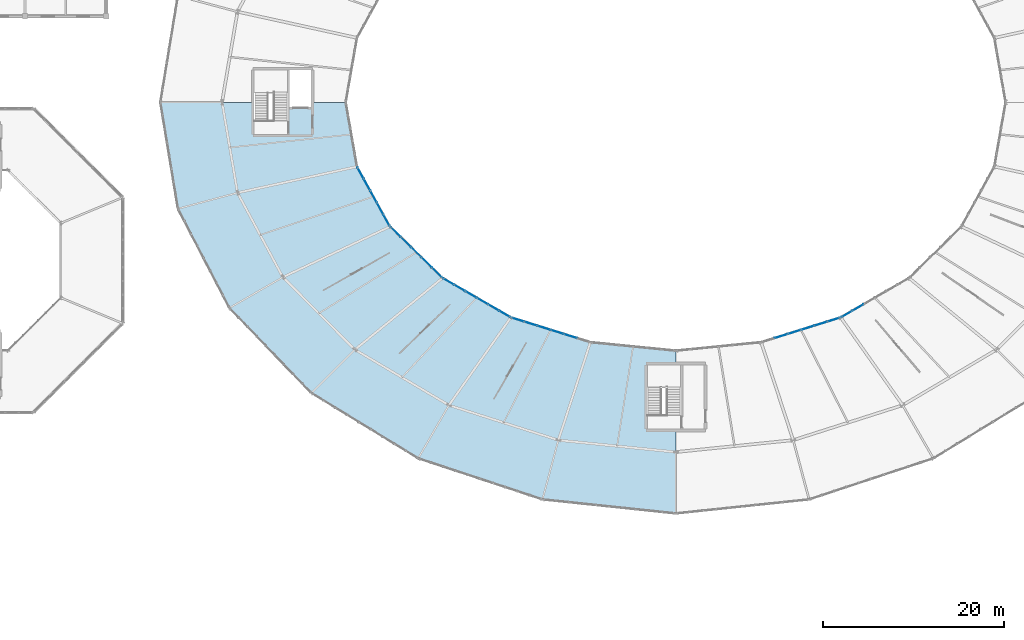
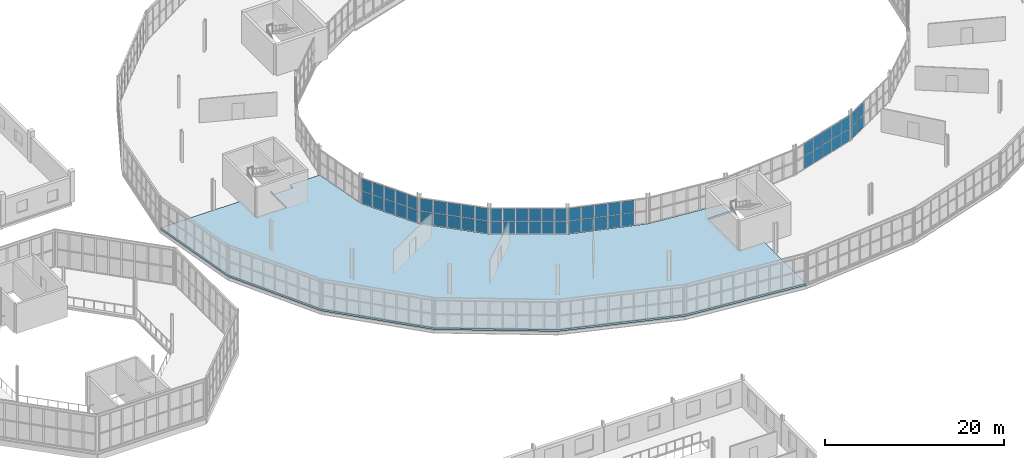
# One storey, part 115 of 161: 56 plates, 1 slab, 6 elements without a shape of their own.
"""IFC4 building model written with IfcOpenShell, lengths in metres."""

from ifc_helpers import new_model, si_unit, direction, frame, origin, origin_2d, place, context, subcontext, project, spatial, polyline, rectangle, outline, extrude, material, layer, layer_set, type_object, element, aggregate, save


model = new_model("IFC4")

# Units and contexts
model_context = context("Model", 3, precision=1e-05, world=origin(), true_north=direction((0.0, 1.0)))
body_context = subcontext(model_context, "Body", "Model", "MODEL_VIEW")
ifc_project = project(units=[si_unit("LENGTHUNIT", "METRE"), si_unit("AREAUNIT", "SQUARE_METRE"), si_unit("VOLUMEUNIT", "CUBIC_METRE"), si_unit("PLANEANGLEUNIT", "RADIAN"), si_unit("MASSUNIT", "GRAM", prefix="KILO")], contexts=[model_context])

# Site, building, storey
site_placement = place(None, origin())
site = spatial("IfcSite", under=ifc_project, at=site_placement, CompositionType="ELEMENT")
building_placement = place(site_placement, origin())
building = spatial("IfcBuilding", under=site, at=building_placement, Name="Kildeholm Park Wholesale Market", CompositionType="ELEMENT")
storey_placement = place(building_placement, frame((0.0, 0.0, 5.39990234375)))
storey = spatial("IfcBuildingStorey", under=building, at=storey_placement, Name="L01", CompositionType="ELEMENT", Elevation=5.39990234375)

# Curtain wall, plates
ifc_material_1 = material(Name="Anodised aluminium and low-E double-glazed glass", Category="aluminium")
curtain_wall_type = type_object("IfcCurtainWallType", Name="Market hall glazed arcade stick curtain wall CW-01", PredefinedType="NOTDEFINED", material=ifc_material_1)
curtain_wall_1_placement = place(storey_placement, origin())
curtain_wall_1 = element("IfcCurtainWall", 1, at=curtain_wall_1_placement, inside=storey, type_object=curtain_wall_type, Name="Curtain wall CW-V1-IN1-13 CW-0067", PredefinedType="NOTDEFINED")
ifc_material_2 = material(Name="Double-glazed low-E insulated glass", Category="glass")
ifc_layer_1 = layer(ifc_material_2, 0.028076171875)
ifc_layer_set_1 = layer_set([ifc_layer_1], Name="Double-glazed low-E insulated glass")
plate_type = type_object("IfcPlateType", Name="Curtain-wall panel CWP-1 28 mm", PredefinedType="CURTAIN_PANEL", material=ifc_layer_set_1)
plate_1_placement = place(storey_placement, frame((64.126953125, 81.67333984375, 0.074951171875), z_axis=(0.0, 0.0, 1.0), x_axis=(0.481749595055, -0.876308922506, 0.0)))
plate_1 = element("IfcPlate", 2, at=plate_1_placement, type_object=plate_type, Name="CW-01 panel 1.1 PLT-1044", PredefinedType="CURTAIN_PANEL", context=body_context, shape_type="SweptSolid", body=[
    extrude(rectangle(XDim=1.38525390625, YDim=0.028076171875, at=origin_2d()), origin(), (0.0, 0.0, 1.0), 1.66259765625),
])
plate_2_placement = place(storey_placement, frame((64.126953125, 81.67333984375, 1.8125), z_axis=(0.0, 0.0, 1.0), x_axis=(0.481749595055, -0.876308922506, 0.0)))
plate_2 = element("IfcPlate", 3, at=plate_2_placement, type_object=plate_type, Name="CW-01 panel 1.2 PLT-1045", PredefinedType="CURTAIN_PANEL", context=body_context, shape_type="SweptSolid", body=[
    extrude(rectangle(XDim=1.38525390625, YDim=0.028076171875, at=origin_2d()), origin(), (0.0, 0.0, 1.0), 1.66259765625),
])
plate_3_placement = place(storey_placement, frame((64.83935546875, 80.377197265625, 0.074951171875), z_axis=(0.0, 0.0, 1.0), x_axis=(0.481749595055, -0.876308922506, 0.0)))
plate_3 = element("IfcPlate", 4, at=plate_3_placement, type_object=plate_type, Name="CW-01 panel 2.1 PLT-1046", PredefinedType="CURTAIN_PANEL", context=body_context, shape_type="SweptSolid", body=[
    extrude(rectangle(XDim=1.4228515625, YDim=0.028076171875, at=origin_2d()), origin(), (0.0, 0.0, 1.0), 1.66259765625),
])
plate_4_placement = place(storey_placement, frame((64.83935546875, 80.377197265625, 1.8125), z_axis=(0.0, 0.0, 1.0), x_axis=(0.481749595055, -0.876308922506, 0.0)))
plate_4 = element("IfcPlate", 5, at=plate_4_placement, type_object=plate_type, Name="CW-01 panel 2.2 PLT-1047", PredefinedType="CURTAIN_PANEL", context=body_context, shape_type="SweptSolid", body=[
    extrude(rectangle(XDim=1.4228515625, YDim=0.028076171875, at=origin_2d()), origin(), (0.0, 0.0, 1.0), 1.66259765625),
])
plate_5_placement = place(storey_placement, frame((65.56103515625, 79.064453125, 0.074951171875), z_axis=(0.0, 0.0, 1.0), x_axis=(0.481749595055, -0.876308922506, 0.0)))
plate_5 = element("IfcPlate", 6, at=plate_5_placement, type_object=plate_type, Name="CW-01 panel 3.1 PLT-1048", PredefinedType="CURTAIN_PANEL", context=body_context, shape_type="SweptSolid", body=[
    extrude(rectangle(XDim=1.4228515625, YDim=0.028076171875, at=origin_2d()), origin(), (0.0, 0.0, 1.0), 1.66259765625),
])
plate_6_placement = place(storey_placement, frame((65.56103515625, 79.064453125, 1.8125), z_axis=(0.0, 0.0, 1.0), x_axis=(0.481749595055, -0.876308922506, 0.0)))
plate_6 = element("IfcPlate", 7, at=plate_6_placement, type_object=plate_type, Name="CW-01 panel 3.2 PLT-1049", PredefinedType="CURTAIN_PANEL", context=body_context, shape_type="SweptSolid", body=[
    extrude(rectangle(XDim=1.4228515625, YDim=0.028076171875, at=origin_2d()), origin(), (0.0, 0.0, 1.0), 1.66259765625),
])
plate_7_placement = place(storey_placement, frame((66.28271484375, 77.751953125, 0.074951171875), z_axis=(0.0, 0.0, 1.0), x_axis=(0.481749595055, -0.876308922506, 0.0)))
plate_7 = element("IfcPlate", 8, at=plate_7_placement, type_object=plate_type, Name="CW-01 panel 4.1 PLT-1050", PredefinedType="CURTAIN_PANEL", context=body_context, shape_type="SweptSolid", body=[
    extrude(rectangle(XDim=1.4228515625, YDim=0.028076171875, at=origin_2d()), origin(), (0.0, 0.0, 1.0), 1.66259765625),
])
plate_8_placement = place(storey_placement, frame((66.28271484375, 77.751953125, 1.8125), z_axis=(0.0, 0.0, 1.0), x_axis=(0.481749595055, -0.876308922506, 0.0)))
plate_8 = element("IfcPlate", 9, at=plate_8_placement, type_object=plate_type, Name="CW-01 panel 4.2 PLT-1051", PredefinedType="CURTAIN_PANEL", context=body_context, shape_type="SweptSolid", body=[
    extrude(rectangle(XDim=1.4228515625, YDim=0.028076171875, at=origin_2d()), origin(), (0.0, 0.0, 1.0), 1.66259765625),
])
plate_9_placement = place(storey_placement, frame((66.9951171875, 76.455810546875, 0.074951171875), z_axis=(0.0, 0.0, 1.0), x_axis=(0.481749595055, -0.876308922506, 0.0)))
plate_9 = element("IfcPlate", 10, at=plate_9_placement, type_object=plate_type, Name="CW-01 panel 5.1 PLT-1052", PredefinedType="CURTAIN_PANEL", context=body_context, shape_type="SweptSolid", body=[
    extrude(rectangle(XDim=1.38525390625, YDim=0.028076171875, at=origin_2d()), origin(), (0.0, 0.0, 1.0), 1.66259765625),
])
plate_10_placement = place(storey_placement, frame((66.9951171875, 76.455810546875, 1.8125), z_axis=(0.0, 0.0, 1.0), x_axis=(0.481749595055, -0.876308922506, 0.0)))
plate_10 = element("IfcPlate", 11, at=plate_10_placement, type_object=plate_type, Name="CW-01 panel 5.2 PLT-1053", PredefinedType="CURTAIN_PANEL", context=body_context, shape_type="SweptSolid", body=[
    extrude(rectangle(XDim=1.38525390625, YDim=0.028076171875, at=origin_2d()), origin(), (0.0, 0.0, 1.0), 1.66259765625),
])
aggregate(curtain_wall_1, [plate_1, plate_2, plate_3, plate_4, plate_5, plate_6, plate_7, plate_8, plate_9, plate_10])

curtain_wall_2_placement = place(storey_placement, origin())
curtain_wall_2 = element("IfcCurtainWall", 12, at=curtain_wall_2_placement, inside=storey, type_object=curtain_wall_type, Name="Curtain wall CW-V1-IN1-14 CW-0072", PredefinedType="NOTDEFINED")
plate_11_placement = place(storey_placement, frame((68.001708984375, 75.141845703125, 0.074951171875), z_axis=(0.0, 0.0, 1.0), x_axis=(0.713537995789, -0.700616534607, 0.0)))
plate_11 = element("IfcPlate", 13, at=plate_11_placement, type_object=plate_type, Name="CW-01 panel 1.1 PLT-1106", PredefinedType="CURTAIN_PANEL", context=body_context, shape_type="SweptSolid", body=[
    extrude(rectangle(XDim=1.497314453125, YDim=0.028076171875, at=origin_2d()), origin(), (0.0, 0.0, 1.0), 1.66259765625),
])
plate_12_placement = place(storey_placement, frame((68.001708984375, 75.141845703125, 1.8125), z_axis=(0.0, 0.0, 1.0), x_axis=(0.713537995789, -0.700616534607, 0.0)))
plate_12 = element("IfcPlate", 14, at=plate_12_placement, type_object=plate_type, Name="CW-01 panel 1.2 PLT-1107", PredefinedType="CURTAIN_PANEL", context=body_context, shape_type="SweptSolid", body=[
    extrude(rectangle(XDim=1.497314453125, YDim=0.028076171875, at=origin_2d()), origin(), (0.0, 0.0, 1.0), 1.66259765625),
])
plate_13_placement = place(storey_placement, frame((69.136962890625, 74.02734375, 0.074951171875), z_axis=(0.0, 0.0, 1.0), x_axis=(0.713537995789, -0.700616534607, 0.0)))
plate_13 = element("IfcPlate", 15, at=plate_13_placement, type_object=plate_type, Name="CW-01 panel 2.1 PLT-1108", PredefinedType="CURTAIN_PANEL", context=body_context, shape_type="SweptSolid", body=[
    extrude(rectangle(XDim=1.53466796875, YDim=0.028076171875, at=origin_2d()), origin(), (0.0, 0.0, 1.0), 1.66259765625),
])
plate_14_placement = place(storey_placement, frame((69.136962890625, 74.02734375, 1.8125), z_axis=(0.0, 0.0, 1.0), x_axis=(0.713537995789, -0.700616534607, 0.0)))
plate_14 = element("IfcPlate", 16, at=plate_14_placement, type_object=plate_type, Name="CW-01 panel 2.2 PLT-1109", PredefinedType="CURTAIN_PANEL", context=body_context, shape_type="SweptSolid", body=[
    extrude(rectangle(XDim=1.53466796875, YDim=0.028076171875, at=origin_2d()), origin(), (0.0, 0.0, 1.0), 1.66259765625),
])
plate_15_placement = place(storey_placement, frame((70.285400390625, 72.8994140625, 0.074951171875), z_axis=(0.0, 0.0, 1.0), x_axis=(0.713537995789, -0.700616534607, 0.0)))
plate_15 = element("IfcPlate", 17, at=plate_15_placement, type_object=plate_type, Name="CW-01 panel 3.1 PLT-1110", PredefinedType="CURTAIN_PANEL", context=body_context, shape_type="SweptSolid", body=[
    extrude(rectangle(XDim=1.53466796875, YDim=0.028076171875, at=origin_2d()), origin(), (0.0, 0.0, 1.0), 1.66259765625),
])
plate_16_placement = place(storey_placement, frame((70.285400390625, 72.8994140625, 1.8125), z_axis=(0.0, 0.0, 1.0), x_axis=(0.713537995789, -0.700616534607, 0.0)))
plate_16 = element("IfcPlate", 18, at=plate_16_placement, type_object=plate_type, Name="CW-01 panel 3.2 PLT-1111", PredefinedType="CURTAIN_PANEL", context=body_context, shape_type="SweptSolid", body=[
    extrude(rectangle(XDim=1.53466796875, YDim=0.028076171875, at=origin_2d()), origin(), (0.0, 0.0, 1.0), 1.66259765625),
])
plate_17_placement = place(storey_placement, frame((71.43408203125, 71.771728515625, 0.074951171875), z_axis=(0.0, 0.0, 1.0), x_axis=(0.713537995789, -0.700616534607, 0.0)))
plate_17 = element("IfcPlate", 19, at=plate_17_placement, type_object=plate_type, Name="CW-01 panel 4.1 PLT-1112", PredefinedType="CURTAIN_PANEL", context=body_context, shape_type="SweptSolid", body=[
    extrude(rectangle(XDim=1.53466796875, YDim=0.028076171875, at=origin_2d()), origin(), (0.0, 0.0, 1.0), 1.66259765625),
])
plate_18_placement = place(storey_placement, frame((71.43408203125, 71.771728515625, 1.8125), z_axis=(0.0, 0.0, 1.0), x_axis=(0.713537995789, -0.700616534607, 0.0)))
plate_18 = element("IfcPlate", 20, at=plate_18_placement, type_object=plate_type, Name="CW-01 panel 4.2 PLT-1113", PredefinedType="CURTAIN_PANEL", context=body_context, shape_type="SweptSolid", body=[
    extrude(rectangle(XDim=1.53466796875, YDim=0.028076171875, at=origin_2d()), origin(), (0.0, 0.0, 1.0), 1.66259765625),
])
plate_19_placement = place(storey_placement, frame((72.5693359375, 70.656982421875, 0.074951171875), z_axis=(0.0, 0.0, 1.0), x_axis=(0.713537995789, -0.700616534607, 0.0)))
plate_19 = element("IfcPlate", 21, at=plate_19_placement, type_object=plate_type, Name="CW-01 panel 5.1 PLT-1114", PredefinedType="CURTAIN_PANEL", context=body_context, shape_type="SweptSolid", body=[
    extrude(rectangle(XDim=1.497314453125, YDim=0.028076171875, at=origin_2d()), origin(), (0.0, 0.0, 1.0), 1.66259765625),
])
plate_20_placement = place(storey_placement, frame((72.5693359375, 70.656982421875, 1.8125), z_axis=(0.0, 0.0, 1.0), x_axis=(0.713537995789, -0.700616534607, 0.0)))
plate_20 = element("IfcPlate", 22, at=plate_20_placement, type_object=plate_type, Name="CW-01 panel 5.2 PLT-1115", PredefinedType="CURTAIN_PANEL", context=body_context, shape_type="SweptSolid", body=[
    extrude(rectangle(XDim=1.497314453125, YDim=0.028076171875, at=origin_2d()), origin(), (0.0, 0.0, 1.0), 1.66259765625),
])
aggregate(curtain_wall_2, [plate_11, plate_12, plate_13, plate_14, plate_15, plate_16, plate_17, plate_18, plate_19, plate_20])

curtain_wall_3_placement = place(storey_placement, origin())
curtain_wall_3 = element("IfcCurtainWall", 23, at=curtain_wall_3_placement, inside=storey, type_object=curtain_wall_type, Name="Curtain wall CW-V1-IN1-15 CW-0077", PredefinedType="NOTDEFINED")
plate_21_placement = place(storey_placement, frame((73.8623046875, 69.660888671875, 0.074951171875), z_axis=(0.0, 0.0, 1.0), x_axis=(0.865742656621, -0.500489412982, 0.0)))
plate_21 = element("IfcPlate", 24, at=plate_21_placement, type_object=plate_type, Name="CW-01 panel 1.1 PLT-1172", PredefinedType="CURTAIN_PANEL", context=body_context, shape_type="SweptSolid", body=[
    extrude(rectangle(XDim=1.329345703125, YDim=0.028076171875, at=origin_2d()), origin(), (0.0, 0.0, 1.0), 1.66259765625),
])
plate_22_placement = place(storey_placement, frame((73.8623046875, 69.660888671875, 1.8125), z_axis=(0.0, 0.0, 1.0), x_axis=(0.865742656621, -0.500489412982, 0.0)))
plate_22 = element("IfcPlate", 25, at=plate_22_placement, type_object=plate_type, Name="CW-01 panel 1.2 PLT-1173", PredefinedType="CURTAIN_PANEL", context=body_context, shape_type="SweptSolid", body=[
    extrude(rectangle(XDim=1.329345703125, YDim=0.028076171875, at=origin_2d()), origin(), (0.0, 0.0, 1.0), 1.66259765625),
])
plate_23_placement = place(storey_placement, frame((75.094482421875, 68.948486328125, 0.074951171875), z_axis=(0.0, 0.0, 1.0), x_axis=(0.865742656621, -0.500489412982, 0.0)))
plate_23 = element("IfcPlate", 26, at=plate_23_placement, type_object=plate_type, Name="CW-01 panel 2.1 PLT-1174", PredefinedType="CURTAIN_PANEL", context=body_context, shape_type="SweptSolid", body=[
    extrude(rectangle(XDim=1.366943359375, YDim=0.028076171875, at=origin_2d()), origin(), (0.0, 0.0, 1.0), 1.66259765625),
])
plate_24_placement = place(storey_placement, frame((75.094482421875, 68.948486328125, 1.8125), z_axis=(0.0, 0.0, 1.0), x_axis=(0.865742656621, -0.500489412982, 0.0)))
plate_24 = element("IfcPlate", 27, at=plate_24_placement, type_object=plate_type, Name="CW-01 panel 2.2 PLT-1175", PredefinedType="CURTAIN_PANEL", context=body_context, shape_type="SweptSolid", body=[
    extrude(rectangle(XDim=1.366943359375, YDim=0.028076171875, at=origin_2d()), origin(), (0.0, 0.0, 1.0), 1.66259765625),
])
plate_25_placement = place(storey_placement, frame((76.3427734375, 68.226806640625, 0.074951171875), z_axis=(0.0, 0.0, 1.0), x_axis=(0.865742656621, -0.500489412982, 0.0)))
plate_25 = element("IfcPlate", 28, at=plate_25_placement, type_object=plate_type, Name="CW-01 panel 3.1 PLT-1176", PredefinedType="CURTAIN_PANEL", context=body_context, shape_type="SweptSolid", body=[
    extrude(rectangle(XDim=1.366943359375, YDim=0.028076171875, at=origin_2d()), origin(), (0.0, 0.0, 1.0), 1.66259765625),
])
plate_26_placement = place(storey_placement, frame((76.3427734375, 68.226806640625, 1.8125), z_axis=(0.0, 0.0, 1.0), x_axis=(0.865742656621, -0.500489412982, 0.0)))
plate_26 = element("IfcPlate", 29, at=plate_26_placement, type_object=plate_type, Name="CW-01 panel 3.2 PLT-1177", PredefinedType="CURTAIN_PANEL", context=body_context, shape_type="SweptSolid", body=[
    extrude(rectangle(XDim=1.366943359375, YDim=0.028076171875, at=origin_2d()), origin(), (0.0, 0.0, 1.0), 1.66259765625),
])
plate_27_placement = place(storey_placement, frame((77.591064453125, 67.505126953125, 0.074951171875), z_axis=(0.0, 0.0, 1.0), x_axis=(0.865742656621, -0.500489412982, 0.0)))
plate_27 = element("IfcPlate", 30, at=plate_27_placement, type_object=plate_type, Name="CW-01 panel 4.1 PLT-1178", PredefinedType="CURTAIN_PANEL", context=body_context, shape_type="SweptSolid", body=[
    extrude(rectangle(XDim=1.366943359375, YDim=0.028076171875, at=origin_2d()), origin(), (0.0, 0.0, 1.0), 1.66259765625),
])
plate_28_placement = place(storey_placement, frame((77.591064453125, 67.505126953125, 1.8125), z_axis=(0.0, 0.0, 1.0), x_axis=(0.865742656621, -0.500489412982, 0.0)))
plate_28 = element("IfcPlate", 31, at=plate_28_placement, type_object=plate_type, Name="CW-01 panel 4.2 PLT-1179", PredefinedType="CURTAIN_PANEL", context=body_context, shape_type="SweptSolid", body=[
    extrude(rectangle(XDim=1.366943359375, YDim=0.028076171875, at=origin_2d()), origin(), (0.0, 0.0, 1.0), 1.66259765625),
])
plate_29_placement = place(storey_placement, frame((78.839599609375, 66.783447265625, 0.074951171875), z_axis=(0.0, 0.0, 1.0), x_axis=(0.865742656621, -0.500489412982, 0.0)))
plate_29 = element("IfcPlate", 32, at=plate_29_placement, type_object=plate_type, Name="CW-01 panel 5.1 PLT-1180", PredefinedType="CURTAIN_PANEL", context=body_context, shape_type="SweptSolid", body=[
    extrude(rectangle(XDim=1.366943359375, YDim=0.028076171875, at=origin_2d()), origin(), (0.0, 0.0, 1.0), 1.66259765625),
])
plate_30_placement = place(storey_placement, frame((78.839599609375, 66.783447265625, 1.8125), z_axis=(0.0, 0.0, 1.0), x_axis=(0.865742656621, -0.500489412982, 0.0)))
plate_30 = element("IfcPlate", 33, at=plate_30_placement, type_object=plate_type, Name="CW-01 panel 5.2 PLT-1181", PredefinedType="CURTAIN_PANEL", context=body_context, shape_type="SweptSolid", body=[
    extrude(rectangle(XDim=1.366943359375, YDim=0.028076171875, at=origin_2d()), origin(), (0.0, 0.0, 1.0), 1.66259765625),
])
plate_31_placement = place(storey_placement, frame((80.071533203125, 66.0712890625, 0.074951171875), z_axis=(0.0, 0.0, 1.0), x_axis=(0.865742656621, -0.500489412982, 0.0)))
plate_31 = element("IfcPlate", 34, at=plate_31_placement, type_object=plate_type, Name="CW-01 panel 6.1 PLT-1182", PredefinedType="CURTAIN_PANEL", context=body_context, shape_type="SweptSolid", body=[
    extrude(rectangle(XDim=1.329345703125, YDim=0.028076171875, at=origin_2d()), origin(), (0.0, 0.0, 1.0), 1.66259765625),
])
plate_32_placement = place(storey_placement, frame((80.071533203125, 66.0712890625, 1.8125), z_axis=(0.0, 0.0, 1.0), x_axis=(0.865742656621, -0.500489412982, 0.0)))
plate_32 = element("IfcPlate", 35, at=plate_32_placement, type_object=plate_type, Name="CW-01 panel 6.2 PLT-1183", PredefinedType="CURTAIN_PANEL", context=body_context, shape_type="SweptSolid", body=[
    extrude(rectangle(XDim=1.329345703125, YDim=0.028076171875, at=origin_2d()), origin(), (0.0, 0.0, 1.0), 1.66259765625),
])
aggregate(curtain_wall_3, [plate_21, plate_22, plate_23, plate_24, plate_25, plate_26, plate_27, plate_28, plate_29, plate_30, plate_31, plate_32])

curtain_wall_4_placement = place(storey_placement, origin())
curtain_wall_4 = element("IfcCurtainWall", 36, at=curtain_wall_4_placement, inside=storey, type_object=curtain_wall_type, Name="Curtain wall CW-V1-IN1-16 CW-0082", PredefinedType="NOTDEFINED")
plate_33_placement = place(storey_placement, frame((81.53125, 65.4365234375, 0.074951171875), z_axis=(0.0, 0.0, 1.0), x_axis=(0.954579186683, -0.297957339818, 0.0)))
plate_33 = element("IfcPlate", 37, at=plate_33_placement, type_object=plate_type, Name="CW-01 panel 1.1 PLT-1244", PredefinedType="CURTAIN_PANEL", context=body_context, shape_type="SweptSolid", body=[
    extrude(rectangle(XDim=1.4111328125, YDim=0.028076171875, at=origin_2d()), origin(), (0.0, 0.0, 1.0), 1.66259765625),
])
plate_34_placement = place(storey_placement, frame((81.53125, 65.4365234375, 1.8125), z_axis=(0.0, 0.0, 1.0), x_axis=(0.954579186683, -0.297957339818, 0.0)))
plate_34 = element("IfcPlate", 38, at=plate_34_placement, type_object=plate_type, Name="CW-01 panel 1.2 PLT-1245", PredefinedType="CURTAIN_PANEL", context=body_context, shape_type="SweptSolid", body=[
    extrude(rectangle(XDim=1.4111328125, YDim=0.028076171875, at=origin_2d()), origin(), (0.0, 0.0, 1.0), 1.66259765625),
])
plate_35_placement = place(storey_placement, frame((82.9677734375, 64.988037109375, 0.074951171875), z_axis=(0.0, 0.0, 1.0), x_axis=(0.954579186683, -0.297957339818, 0.0)))
plate_35 = element("IfcPlate", 39, at=plate_35_placement, type_object=plate_type, Name="CW-01 panel 2.1 PLT-1246", PredefinedType="CURTAIN_PANEL", context=body_context, shape_type="SweptSolid", body=[
    extrude(rectangle(XDim=1.44873046875, YDim=0.028076171875, at=origin_2d()), origin(), (0.0, 0.0, 1.0), 1.66259765625),
])
plate_36_placement = place(storey_placement, frame((82.9677734375, 64.988037109375, 1.8125), z_axis=(0.0, 0.0, 1.0), x_axis=(0.954579186683, -0.297957339818, 0.0)))
plate_36 = element("IfcPlate", 40, at=plate_36_placement, type_object=plate_type, Name="CW-01 panel 2.2 PLT-1247", PredefinedType="CURTAIN_PANEL", context=body_context, shape_type="SweptSolid", body=[
    extrude(rectangle(XDim=1.44873046875, YDim=0.028076171875, at=origin_2d()), origin(), (0.0, 0.0, 1.0), 1.66259765625),
])
plate_37_placement = place(storey_placement, frame((84.42236328125, 64.533935546875, 0.074951171875), z_axis=(0.0, 0.0, 1.0), x_axis=(0.954579186683, -0.297957339818, 0.0)))
plate_37 = element("IfcPlate", 41, at=plate_37_placement, type_object=plate_type, Name="CW-01 panel 3.1 PLT-1248", PredefinedType="CURTAIN_PANEL", context=body_context, shape_type="SweptSolid", body=[
    extrude(rectangle(XDim=1.44873046875, YDim=0.028076171875, at=origin_2d()), origin(), (0.0, 0.0, 1.0), 1.66259765625),
])
plate_38_placement = place(storey_placement, frame((84.42236328125, 64.533935546875, 1.8125), z_axis=(0.0, 0.0, 1.0), x_axis=(0.954579186683, -0.297957339818, 0.0)))
plate_38 = element("IfcPlate", 42, at=plate_38_placement, type_object=plate_type, Name="CW-01 panel 3.2 PLT-1249", PredefinedType="CURTAIN_PANEL", context=body_context, shape_type="SweptSolid", body=[
    extrude(rectangle(XDim=1.44873046875, YDim=0.028076171875, at=origin_2d()), origin(), (0.0, 0.0, 1.0), 1.66259765625),
])
plate_39_placement = place(storey_placement, frame((85.876708984375, 64.080078125, 0.074951171875), z_axis=(0.0, 0.0, 1.0), x_axis=(0.954579186683, -0.297957339818, 0.0)))
plate_39 = element("IfcPlate", 43, at=plate_39_placement, type_object=plate_type, Name="CW-01 panel 4.1 PLT-1250", PredefinedType="CURTAIN_PANEL", context=body_context, shape_type="SweptSolid", body=[
    extrude(rectangle(XDim=1.44873046875, YDim=0.028076171875, at=origin_2d()), origin(), (0.0, 0.0, 1.0), 1.66259765625),
])
plate_40_placement = place(storey_placement, frame((85.876708984375, 64.080078125, 1.8125), z_axis=(0.0, 0.0, 1.0), x_axis=(0.954579186683, -0.297957339818, 0.0)))
plate_40 = element("IfcPlate", 44, at=plate_40_placement, type_object=plate_type, Name="CW-01 panel 4.2 PLT-1251", PredefinedType="CURTAIN_PANEL", context=body_context, shape_type="SweptSolid", body=[
    extrude(rectangle(XDim=1.44873046875, YDim=0.028076171875, at=origin_2d()), origin(), (0.0, 0.0, 1.0), 1.66259765625),
])
plate_41_placement = place(storey_placement, frame((87.331298828125, 63.6259765625, 0.074951171875), z_axis=(0.0, 0.0, 1.0), x_axis=(0.954579186683, -0.297957339818, 0.0)))
plate_41 = element("IfcPlate", 45, at=plate_41_placement, type_object=plate_type, Name="CW-01 panel 5.1 PLT-1252", PredefinedType="CURTAIN_PANEL", context=body_context, shape_type="SweptSolid", body=[
    extrude(rectangle(XDim=1.44873046875, YDim=0.028076171875, at=origin_2d()), origin(), (0.0, 0.0, 1.0), 1.66259765625),
])
plate_42_placement = place(storey_placement, frame((87.331298828125, 63.6259765625, 1.8125), z_axis=(0.0, 0.0, 1.0), x_axis=(0.954579186683, -0.297957339818, 0.0)))
plate_42 = element("IfcPlate", 46, at=plate_42_placement, type_object=plate_type, Name="CW-01 panel 5.2 PLT-1253", PredefinedType="CURTAIN_PANEL", context=body_context, shape_type="SweptSolid", body=[
    extrude(rectangle(XDim=1.44873046875, YDim=0.028076171875, at=origin_2d()), origin(), (0.0, 0.0, 1.0), 1.66259765625),
])
aggregate(curtain_wall_4, [plate_33, plate_34, plate_35, plate_36, plate_37, plate_38, plate_39, plate_40, plate_41, plate_42])

curtain_wall_5_placement = place(storey_placement, origin())
curtain_wall_5 = element("IfcCurtainWall", 47, at=curtain_wall_5_placement, inside=storey, type_object=curtain_wall_type, Name="Curtain wall CW-V1-IN1-19 CW-0097", PredefinedType="NOTDEFINED")
plate_43_placement = place(storey_placement, frame((110.668701171875, 63.6259765625, 0.074951171875), z_axis=(0.0, 0.0, 1.0), x_axis=(0.954579186683, 0.297957339818, 0.0)))
plate_43 = element("IfcPlate", 48, at=plate_43_placement, type_object=plate_type, Name="CW-01 panel 2.1 PLT-1466", PredefinedType="CURTAIN_PANEL", context=body_context, shape_type="SweptSolid", body=[
    extrude(rectangle(XDim=1.44873046875, YDim=0.028076171875, at=origin_2d()), origin(), (0.0, 0.0, 1.0), 1.66259765625),
])
plate_44_placement = place(storey_placement, frame((110.668701171875, 63.6259765625, 1.8125), z_axis=(0.0, 0.0, 1.0), x_axis=(0.954579186683, 0.297957339818, 0.0)))
plate_44 = element("IfcPlate", 49, at=plate_44_placement, type_object=plate_type, Name="CW-01 panel 2.2 PLT-1467", PredefinedType="CURTAIN_PANEL", context=body_context, shape_type="SweptSolid", body=[
    extrude(rectangle(XDim=1.44873046875, YDim=0.028076171875, at=origin_2d()), origin(), (0.0, 0.0, 1.0), 1.66259765625),
])
plate_45_placement = place(storey_placement, frame((112.123291015625, 64.080078125, 0.074951171875), z_axis=(0.0, 0.0, 1.0), x_axis=(0.954579186683, 0.297957339818, 0.0)))
plate_45 = element("IfcPlate", 50, at=plate_45_placement, type_object=plate_type, Name="CW-01 panel 3.1 PLT-1468", PredefinedType="CURTAIN_PANEL", context=body_context, shape_type="SweptSolid", body=[
    extrude(rectangle(XDim=1.44873046875, YDim=0.028076171875, at=origin_2d()), origin(), (0.0, 0.0, 1.0), 1.66259765625),
])
plate_46_placement = place(storey_placement, frame((112.123291015625, 64.080078125, 1.8125), z_axis=(0.0, 0.0, 1.0), x_axis=(0.954579186683, 0.297957339818, 0.0)))
plate_46 = element("IfcPlate", 51, at=plate_46_placement, type_object=plate_type, Name="CW-01 panel 3.2 PLT-1469", PredefinedType="CURTAIN_PANEL", context=body_context, shape_type="SweptSolid", body=[
    extrude(rectangle(XDim=1.44873046875, YDim=0.028076171875, at=origin_2d()), origin(), (0.0, 0.0, 1.0), 1.66259765625),
])
plate_47_placement = place(storey_placement, frame((113.57763671875, 64.533935546875, 0.074951171875), z_axis=(0.0, 0.0, 1.0), x_axis=(0.954579186683, 0.297957339818, 0.0)))
plate_47 = element("IfcPlate", 52, at=plate_47_placement, type_object=plate_type, Name="CW-01 panel 4.1 PLT-1470", PredefinedType="CURTAIN_PANEL", context=body_context, shape_type="SweptSolid", body=[
    extrude(rectangle(XDim=1.44873046875, YDim=0.028076171875, at=origin_2d()), origin(), (0.0, 0.0, 1.0), 1.66259765625),
])
plate_48_placement = place(storey_placement, frame((113.57763671875, 64.533935546875, 1.8125), z_axis=(0.0, 0.0, 1.0), x_axis=(0.954579186683, 0.297957339818, 0.0)))
plate_48 = element("IfcPlate", 53, at=plate_48_placement, type_object=plate_type, Name="CW-01 panel 4.2 PLT-1471", PredefinedType="CURTAIN_PANEL", context=body_context, shape_type="SweptSolid", body=[
    extrude(rectangle(XDim=1.44873046875, YDim=0.028076171875, at=origin_2d()), origin(), (0.0, 0.0, 1.0), 1.66259765625),
])
plate_49_placement = place(storey_placement, frame((115.0322265625, 64.988037109375, 0.074951171875), z_axis=(0.0, 0.0, 1.0), x_axis=(0.954579186683, 0.297957339818, 0.0)))
plate_49 = element("IfcPlate", 54, at=plate_49_placement, type_object=plate_type, Name="CW-01 panel 5.1 PLT-1472", PredefinedType="CURTAIN_PANEL", context=body_context, shape_type="SweptSolid", body=[
    extrude(rectangle(XDim=1.44873046875, YDim=0.028076171875, at=origin_2d()), origin(), (0.0, 0.0, 1.0), 1.66259765625),
])
plate_50_placement = place(storey_placement, frame((115.0322265625, 64.988037109375, 1.8125), z_axis=(0.0, 0.0, 1.0), x_axis=(0.954579186683, 0.297957339818, 0.0)))
plate_50 = element("IfcPlate", 55, at=plate_50_placement, type_object=plate_type, Name="CW-01 panel 5.2 PLT-1473", PredefinedType="CURTAIN_PANEL", context=body_context, shape_type="SweptSolid", body=[
    extrude(rectangle(XDim=1.44873046875, YDim=0.028076171875, at=origin_2d()), origin(), (0.0, 0.0, 1.0), 1.66259765625),
])
plate_51_placement = place(storey_placement, frame((116.46875, 65.4365234375, 0.074951171875), z_axis=(0.0, 0.0, 1.0), x_axis=(0.954579186683, 0.297957339818, 0.0)))
plate_51 = element("IfcPlate", 56, at=plate_51_placement, type_object=plate_type, Name="CW-01 panel 6.1 PLT-1474", PredefinedType="CURTAIN_PANEL", context=body_context, shape_type="SweptSolid", body=[
    extrude(rectangle(XDim=1.4111328125, YDim=0.028076171875, at=origin_2d()), origin(), (0.0, 0.0, 1.0), 1.66259765625),
])
plate_52_placement = place(storey_placement, frame((116.46875, 65.4365234375, 1.8125), z_axis=(0.0, 0.0, 1.0), x_axis=(0.954579186683, 0.297957339818, 0.0)))
plate_52 = element("IfcPlate", 57, at=plate_52_placement, type_object=plate_type, Name="CW-01 panel 6.2 PLT-1475", PredefinedType="CURTAIN_PANEL", context=body_context, shape_type="SweptSolid", body=[
    extrude(rectangle(XDim=1.4111328125, YDim=0.028076171875, at=origin_2d()), origin(), (0.0, 0.0, 1.0), 1.66259765625),
])
aggregate(curtain_wall_5, [plate_43, plate_44, plate_45, plate_46, plate_47, plate_48, plate_49, plate_50, plate_51, plate_52])

curtain_wall_6_placement = place(storey_placement, origin())
curtain_wall_6 = element("IfcCurtainWall", 58, at=curtain_wall_6_placement, inside=storey, type_object=curtain_wall_type, Name="Curtain wall CW-V1-IN1-20 CW-0102", PredefinedType="NOTDEFINED")
plate_53_placement = place(storey_placement, frame((117.928466796875, 66.0712890625, 0.074951171875), z_axis=(0.0, 0.0, 1.0), x_axis=(0.865742656621, 0.500489412982, 0.0)))
plate_53 = element("IfcPlate", 59, at=plate_53_placement, type_object=plate_type, Name="CW-01 panel 1.1 PLT-1534", PredefinedType="CURTAIN_PANEL", context=body_context, shape_type="SweptSolid", body=[
    extrude(rectangle(XDim=1.329345703125, YDim=0.028076171875, at=origin_2d()), origin(), (0.0, 0.0, 1.0), 1.66259765625),
])
plate_54_placement = place(storey_placement, frame((117.928466796875, 66.0712890625, 1.8125), z_axis=(0.0, 0.0, 1.0), x_axis=(0.865742656621, 0.500489412982, 0.0)))
plate_54 = element("IfcPlate", 60, at=plate_54_placement, type_object=plate_type, Name="CW-01 panel 1.2 PLT-1535", PredefinedType="CURTAIN_PANEL", context=body_context, shape_type="SweptSolid", body=[
    extrude(rectangle(XDim=1.329345703125, YDim=0.028076171875, at=origin_2d()), origin(), (0.0, 0.0, 1.0), 1.66259765625),
])
plate_55_placement = place(storey_placement, frame((119.160400390625, 66.783447265625, 0.074951171875), z_axis=(0.0, 0.0, 1.0), x_axis=(0.865742656621, 0.500489412982, 0.0)))
plate_55 = element("IfcPlate", 61, at=plate_55_placement, type_object=plate_type, Name="CW-01 panel 2.1 PLT-1536", PredefinedType="CURTAIN_PANEL", context=body_context, shape_type="SweptSolid", body=[
    extrude(rectangle(XDim=1.366943359375, YDim=0.028076171875, at=origin_2d()), origin(), (0.0, 0.0, 1.0), 1.66259765625),
])
plate_56_placement = place(storey_placement, frame((119.160400390625, 66.783447265625, 1.8125), z_axis=(0.0, 0.0, 1.0), x_axis=(0.865742656621, 0.500489412982, 0.0)))
plate_56 = element("IfcPlate", 62, at=plate_56_placement, type_object=plate_type, Name="CW-01 panel 2.2 PLT-1537", PredefinedType="CURTAIN_PANEL", context=body_context, shape_type="SweptSolid", body=[
    extrude(rectangle(XDim=1.366943359375, YDim=0.028076171875, at=origin_2d()), origin(), (0.0, 0.0, 1.0), 1.66259765625),
])
aggregate(curtain_wall_6, [plate_53, plate_54, plate_55, plate_56])

# Slab
ifc_material_3 = material(Name="Concrete C35/45", Category="concrete")
ifc_layer_2 = layer(ifc_material_3, 0.25)
ifc_layer_set_2 = layer_set([ifc_layer_2], Name="Concrete C35/45")
slab_type = type_object("IfcSlabType", Name="Slab S-FL1 250 mm", PredefinedType="FLOOR", material=ifc_layer_set_2)
slab_placement = place(storey_placement, frame((0.0, 0.0, -0.25)))
element("IfcSlab", 63, at=slab_placement, inside=storey, type_object=slab_type, Name="Produce hall L01 gallery slab quadrant 3 SLB-0008", PredefinedType="FLOOR", context=body_context, shape_type="SweptSolid", body=[
    extrude(outline(polyline([(99.0, 44.0), (84.2470703125, 45.550048828125), (70.5, 50.095947265625), (58.695068359375, 57.326904296875), (49.636962890625, 66.75), (43.94189453125, 77.72412109375), (42.0, 89.5), (52.320068359375, 89.5), (52.320068359375, 85.919921875), (56.179931640625, 85.919921875), (56.179931640625, 89.5), (56.280029296875, 89.5), (56.280029296875, 88.820068359375), (58.679931640625, 88.820068359375), (58.679931640625, 89.5), (62.5, 89.5), (63.743896484375, 82.382080078125), (67.389892578125, 75.75), (73.19091796875, 70.054931640625), (80.75, 65.68408203125), (89.552978515625, 62.93701171875), (99.0, 62.0), (99.0, 60.47998046875), (95.820068359375, 60.47998046875), (95.820068359375, 53.320068359375), (99.0, 53.320068359375), (99.0, 44.0)])), origin(), (0.0, 0.0, 1.0), 0.25),
])

save(model, "model.ifc")
